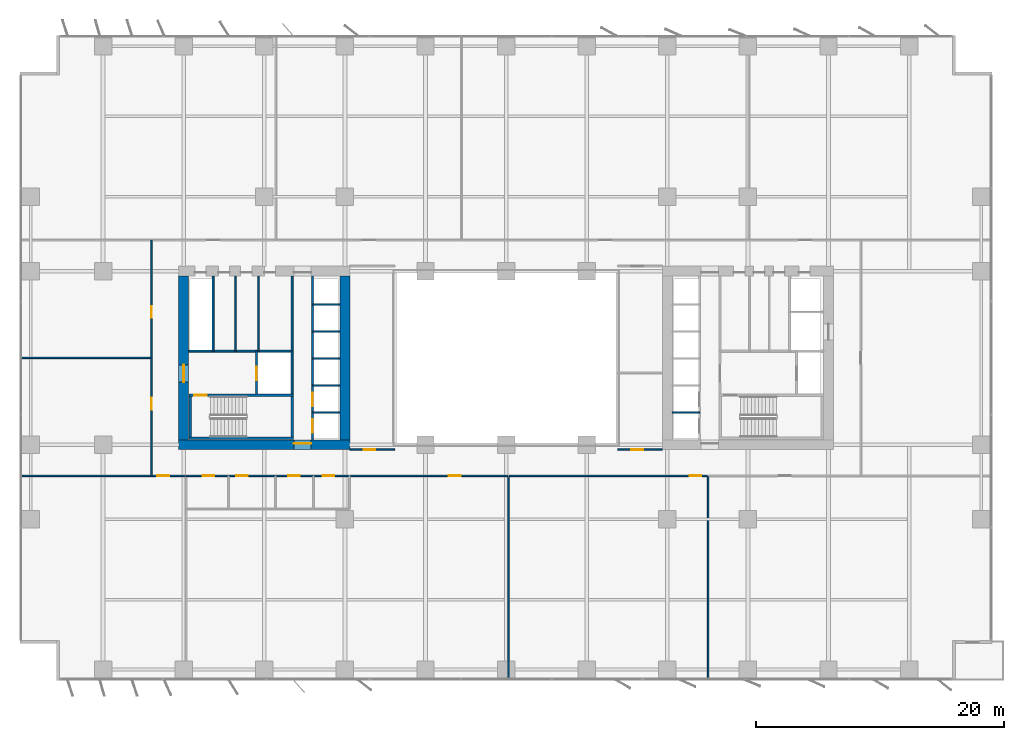
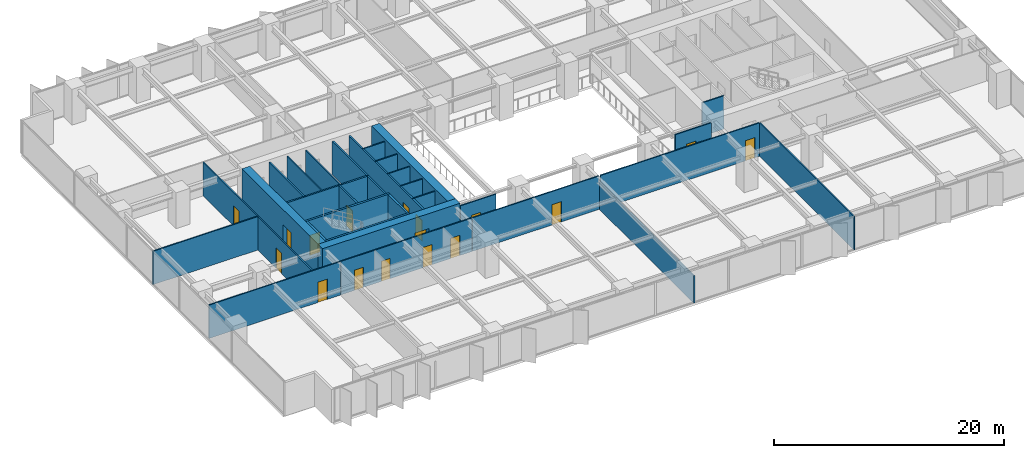
# One storey, part 13 of 20: 32 walls, 17 doors, 17 openings.
"""IFC4 building model written with IfcOpenShell, lengths in metres."""

from ifc_helpers import new_model, si_unit, direction, frame, frame_2d, origin, place, context, subcontext, project, spatial, rectangle, extrude, material, layer, layer_set, type_object, element, fill, save


model = new_model("IFC4")

# Units and contexts
model_context = context("Model", 3, precision=1e-05, world=origin(), true_north=direction((0.0, 1.0)))
body_context = subcontext(model_context, "Body", "Model", "MODEL_VIEW")
ifc_project = project(units=[si_unit("LENGTHUNIT", "METRE"), si_unit("AREAUNIT", "SQUARE_METRE"), si_unit("VOLUMEUNIT", "CUBIC_METRE"), si_unit("PLANEANGLEUNIT", "RADIAN"), si_unit("MASSUNIT", "GRAM", prefix="KILO")], contexts=[model_context])

# Site, building, storey
site_placement = place(None, origin())
site = spatial("IfcSite", under=ifc_project, at=site_placement, CompositionType="ELEMENT")
building_placement = place(site_placement, origin())
building = spatial("IfcBuilding", under=site, at=building_placement, Name="Putna Gate Headquarters", CompositionType="ELEMENT")
storey_placement = place(building_placement, frame((0.0, 0.0, 43.0)))
storey = spatial("IfcBuildingStorey", under=building, at=storey_placement, Name="L09", CompositionType="ELEMENT", Elevation=43.0)

# Wall, opening, door
ifc_material_1 = material(Name="Concrete C60/75", Category="concrete")
ifc_layer_1 = layer(ifc_material_1, 0.800048828125)
ifc_layer_set_1 = layer_set([ifc_layer_1], Name="Concrete C60/75")
wall_type_1 = type_object("IfcWallType", Name="WALL-CORE-800", PredefinedType="SHEAR", material=ifc_layer_set_1)
wall_1_placement = place(storey_placement, frame((12.60009765625, 19.0, 0.0), z_axis=(0.0, 0.0, 1.0), x_axis=(1.0, 0.0, 0.0)))
wall_1 = element("IfcWall", 1, at=wall_1_placement, inside=storey, type_object=wall_type_1, Name="L09 WC Split Core Shear Wall S", PredefinedType="SHEAR", context=body_context, shape_type="SweptSolid", body=[
    extrude(rectangle(XDim=13.7998046875, YDim=0.800048828125, at=frame_2d((6.89990234375, 0.0))), origin(), (0.0, 0.0, 1.0), 3.800048828125),
])
opening_1_placement = place(wall_1_placement, frame((9.280029296875, 0.0, 0.0)))
opening_1 = element("IfcOpeningElement", 2, at=opening_1_placement, cuts=wall_1, Name="Opening FDD-140", PredefinedType="OPENING", context=body_context, shape_type="SweptSolid", body=[
    extrude(rectangle(XDim=1.39990234375, YDim=2.199951171875, at=frame_2d((0.699951171875, 1.10009765625))), frame((0.0, 0.409912109375, 0.0), z_axis=(0.0, -1.0, 0.0), x_axis=(1.0, 0.0, 0.0)), (0.0, 0.0, 1.0), 0.820068359375),
])
ifc_material_2 = material(Name="Double steel fire door", Category="steel")
door_type_1 = type_object("IfcDoorType", Name="DOOR-FIRE-DBL-1400", OperationType="DOUBLE_DOOR_SINGLE_SWING", PredefinedType="DOOR", material=ifc_material_2)
door_1_placement = place(opening_1_placement, origin())
door_1 = element("IfcDoor", 3, at=door_1_placement, inside=storey, type_object=door_type_1, Name="L09 West Lift Lobby South Door", OperationType="DOUBLE_DOOR_SINGLE_SWING", OverallHeight=2.199951171875, OverallWidth=1.39990234375, PredefinedType="DOOR", context=body_context, shape_type="SweptSolid", body=[
    extrude(rectangle(XDim=1.39990234375, YDim=2.199951171875, at=frame_2d((0.699951171875, 1.10009765625))), frame((0.0, 0.125, 0.0), z_axis=(0.0, -1.0, 0.0), x_axis=(1.0, 0.0, 0.0)), (0.0, 0.0, 1.0), 0.050048828125),
])
fill(opening_1, door_1)

wall_2_placement = place(storey_placement, frame((13.0, 19.39990234375, 0.0), z_axis=(0.0, 0.0, 1.0), x_axis=(0.0, 1.0, 0.0)))
wall_2 = element("IfcWall", 4, at=wall_2_placement, inside=storey, type_object=wall_type_1, Name="L09 WC Split Core Shear Wall W", PredefinedType="SHEAR", context=body_context, shape_type="SweptSolid", body=[
    extrude(rectangle(XDim=13.2001953125, YDim=0.800048828125, at=frame_2d((6.60009765625, 0.0))), origin(), (0.0, 0.0, 1.0), 3.800048828125),
])
opening_2_placement = place(wall_2_placement, frame((4.64990234375, 0.0, 0.0)))
opening_2 = element("IfcOpeningElement", 5, at=opening_2_placement, cuts=wall_2, Name="Opening FDD-140", PredefinedType="OPENING", context=body_context, shape_type="SweptSolid", body=[
    extrude(rectangle(XDim=1.39990234375, YDim=2.199951171875, at=frame_2d((0.699951171875, 1.10009765625))), frame((0.0, 0.409912109375, 0.0), z_axis=(0.0, -1.0, 0.0), x_axis=(1.0, 0.0, 0.0)), (0.0, 0.0, 1.0), 0.820068359375),
])
door_2_placement = place(opening_2_placement, origin())
door_2 = element("IfcDoor", 6, at=door_2_placement, inside=storey, type_object=door_type_1, Name="L09 West Firefighting Lobby Door", OperationType="DOUBLE_DOOR_SINGLE_SWING", OverallHeight=2.199951171875, OverallWidth=1.39990234375, PredefinedType="DOOR", context=body_context, shape_type="SweptSolid", body=[
    extrude(rectangle(XDim=1.39990234375, YDim=2.199951171875, at=frame_2d((0.699951171875, 1.10009765625))), frame((0.0, 0.02490234375, 0.0), z_axis=(0.0, -1.0, 0.0), x_axis=(1.0, 0.0, 0.0)), (0.0, 0.0, 1.0), 0.050048828125),
])
fill(opening_2, door_2)

# Wall
wall_3_placement = place(storey_placement, frame((26.0, 19.39990234375, 0.0), z_axis=(0.0, 0.0, 1.0), x_axis=(0.0, 1.0, 0.0)))
element("IfcWall", 7, at=wall_3_placement, inside=storey, type_object=wall_type_1, Name="L09 WC Split Core Shear Wall E", PredefinedType="SHEAR", context=body_context, shape_type="SweptSolid", body=[
    extrude(rectangle(XDim=13.2001953125, YDim=0.800048828125, at=frame_2d((6.60009765625, 0.0))), origin(), (0.0, 0.0, 1.0), 3.800048828125),
])

# Wall, opening, door
ifc_material_3 = material(Name="Acoustic gypsum board on metal stud")
ifc_layer_2 = layer(ifc_material_3, 0.1201171875)
ifc_layer_set_2 = layer_set([ifc_layer_2], Name="Acoustic gypsum board on metal stud")
wall_type_2 = type_object("IfcWallType", Name="WALL-PART-120", PredefinedType="PARTITIONING", material=ifc_layer_set_2)
wall_4_placement = place(storey_placement, frame((26.39990234375, 18.60009765625, 0.0), z_axis=(0.0, 0.0, 1.0), x_axis=(1.0, 0.0, 0.0)))
wall_4 = element("IfcWall", 8, at=wall_4_placement, inside=storey, type_object=wall_type_2, Name="L09 Interior Wall PART-L09-ATR-W-S", PredefinedType="PARTITIONING", context=body_context, shape_type="SweptSolid", body=[
    extrude(rectangle(XDim=3.60009765625, YDim=0.1201171875, at=frame_2d((1.800048828125, 0.0))), origin(), (0.0, 0.0, 1.0), 3.550048828125),
])
opening_3_placement = place(wall_4_placement, frame((1.10009765625, 0.0, 0.0)))
opening_3 = element("IfcOpeningElement", 9, at=opening_3_placement, cuts=wall_4, Name="Opening ID-95", PredefinedType="OPENING", context=body_context, shape_type="SweptSolid", body=[
    extrude(rectangle(XDim=0.949951171875, YDim=2.14990234375, at=frame_2d((0.47509765625, 1.074951171875))), frame((0.0, 0.070068359375, 0.0), z_axis=(0.0, -1.0, 0.0), x_axis=(1.0, 0.0, 0.0)), (0.0, 0.0, 1.0), 0.14013671875),
])
ifc_material_4 = material(Name="Veneered acoustic timber door", Category="wood")
door_type_2 = type_object("IfcDoorType", Name="DOOR-OFF-950", OperationType="NOTDEFINED", PredefinedType="DOOR", material=ifc_material_4)
door_3_placement = place(opening_3_placement, origin())
door_3 = element("IfcDoor", 10, at=door_3_placement, inside=storey, type_object=door_type_2, Name="L09 West Atrium Gallery Lounge Door", OperationType="SINGLE_SWING_LEFT", OverallHeight=2.14990234375, OverallWidth=0.949951171875, PredefinedType="DOOR", context=body_context, shape_type="SweptSolid", body=[
    extrude(rectangle(XDim=0.949951171875, YDim=2.14990234375, at=frame_2d((0.47509765625, 1.074951171875))), frame((0.0, 0.02490234375, 0.0), z_axis=(0.0, -1.0, 0.0), x_axis=(1.0, 0.0, 0.0)), (0.0, 0.0, 1.0), 0.050048828125),
])
fill(opening_3, door_3)

wall_5_placement = place(storey_placement, frame((48.0, 18.60009765625, 0.0), z_axis=(0.0, 0.0, 1.0), x_axis=(1.0, 0.0, 0.0)))
wall_5 = element("IfcWall", 11, at=wall_5_placement, inside=storey, type_object=wall_type_2, Name="L09 Interior Wall PART-L09-ATR-E-S", PredefinedType="PARTITIONING", context=body_context, shape_type="SweptSolid", body=[
    extrude(rectangle(XDim=3.60009765625, YDim=0.1201171875, at=frame_2d((1.800048828125, 0.0))), origin(), (0.0, 0.0, 1.0), 3.550048828125),
])
opening_4_placement = place(wall_5_placement, frame((1.10009765625, 0.0, 0.0)))
opening_4 = element("IfcOpeningElement", 12, at=opening_4_placement, cuts=wall_5, Name="Opening ID-95", PredefinedType="OPENING", context=body_context, shape_type="SweptSolid", body=[
    extrude(rectangle(XDim=0.949951171875, YDim=2.14990234375, at=frame_2d((0.47509765625, 1.074951171875))), frame((0.0, 0.070068359375, 0.0), z_axis=(0.0, -1.0, 0.0), x_axis=(1.0, 0.0, 0.0)), (0.0, 0.0, 1.0), 0.14013671875),
])
door_4_placement = place(opening_4_placement, origin())
door_4 = element("IfcDoor", 13, at=door_4_placement, inside=storey, type_object=door_type_2, Name="L09 East Atrium South Gallery Door", OperationType="SINGLE_SWING_RIGHT", OverallHeight=2.14990234375, OverallWidth=0.949951171875, PredefinedType="DOOR", context=body_context, shape_type="SweptSolid", body=[
    extrude(rectangle(XDim=0.949951171875, YDim=2.14990234375, at=frame_2d((0.47509765625, 1.074951171875))), frame((0.0, 0.02490234375, 0.0), z_axis=(0.0, -1.0, 0.0), x_axis=(1.0, 0.0, 0.0)), (0.0, 0.0, 1.0), 0.050048828125),
])
fill(opening_4, door_4)

# Walls
wall_6_placement = place(storey_placement, frame((39.199951171875, 0.02001953125, 0.0), z_axis=(0.0, 0.0, 1.0), x_axis=(0.0, 1.0, 0.0)))
element("IfcWall", 14, at=wall_6_placement, inside=storey, type_object=wall_type_2, Name="L09 Interior Wall PART-L09-SB-DIV-02", PredefinedType="PARTITIONING", context=body_context, shape_type="SweptSolid", body=[
    extrude(rectangle(XDim=16.419921875, YDim=0.1201171875, at=frame_2d((8.2099609375, 0.0))), origin(), (0.0, 0.0, 1.0), 2.89990234375),
])
wall_7_placement = place(storey_placement, frame((55.296142578125, 0.02001953125, 0.0), z_axis=(0.0, 0.0, 1.0), x_axis=(0.0, 1.0, 0.0)))
element("IfcWall", 15, at=wall_7_placement, inside=storey, type_object=wall_type_2, Name="L09 Interior Wall PART-L09-SB-DIV-03", PredefinedType="PARTITIONING", context=body_context, shape_type="SweptSolid", body=[
    extrude(rectangle(XDim=16.419921875, YDim=0.1201171875, at=frame_2d((8.2099609375, 0.0))), origin(), (0.0, 0.0, 1.0), 3.550048828125),
])
wall_8_placement = place(storey_placement, frame((-0.179931640625, 26.0, 0.0), z_axis=(0.0, 0.0, 1.0), x_axis=(1.0, 0.0, 0.0)))
element("IfcWall", 16, at=wall_8_placement, inside=storey, type_object=wall_type_2, Name="L09 Interior Wall PART-L09-WW-DIV-1", PredefinedType="PARTITIONING", context=body_context, shape_type="SweptSolid", body=[
    extrude(rectangle(XDim=10.579833984375, YDim=0.1201171875, at=frame_2d((5.2900390625, 0.0))), origin(), (0.0, 0.0, 1.0), 3.550048828125),
])
ifc_material_5 = material(Name="Fire-rated shaftwall gypsum board on metal stud")
ifc_layer_3 = layer(ifc_material_5, 0.1201171875)
ifc_layer_set_3 = layer_set([ifc_layer_3], Name="Fire-rated shaftwall gypsum board on metal stud")
wall_type_3 = type_object("IfcWallType", Name="WALL-PART-120-EI120", PredefinedType="PARTITIONING", material=ifc_layer_set_3)
for number, where, z_axis, x_axis, name in (
    (17, (23.39990234375, 21.610107421875, 0.0), (0.0, 0.0, 1.0), (1.0, 0.0, 0.0), "L09 Interior Wall CWINT-L09-WC-LF01-DIV"),
    (18, (23.39990234375, 23.780029296875, 0.0), (0.0, 0.0, 1.0), (1.0, 0.0, 0.0), "L09 Interior Wall CWINT-L09-WC-LF02-DIV"),
    (19, (23.39990234375, 25.949951171875, 0.0), (0.0, 0.0, 1.0), (1.0, 0.0, 0.0), "L09 Interior Wall CWINT-L09-WC-LF05-DIV"),
    (20, (23.39990234375, 28.1201171875, 0.0), (0.0, 0.0, 1.0), (1.0, 0.0, 0.0), "L09 Interior Wall CWINT-L09-WC-LF06-DIV"),
    (21, (23.39990234375, 30.31005859375, 0.0), (0.0, 0.0, 1.0), (1.0, 0.0, 0.0), "L09 Interior Wall CWINT-L09-WC-LF09-DIV"),
    (22, (52.39990234375, 21.610107421875, 0.0), (0.0, 0.0, 1.0), (1.0, 0.0, 0.0), "L09 Interior Wall CWINT-L09-EC-LF03-DIV"),
):
    element("IfcWall", number, at=place(storey_placement, frame(where, z_axis=z_axis, x_axis=x_axis)), inside=storey, type_object=wall_type_3, Name=name, PredefinedType="PARTITIONING", context=body_context, shape_type="SweptSolid", body=[
        extrude(rectangle(XDim=2.2001953125, YDim=0.1201171875, at=frame_2d((1.10009765625, 0.0))), origin(), (0.0, 0.0, 1.0), 3.550048828125),
    ])
ifc_material_6 = material(Name="Fire-rated gypsum board on metal stud")
ifc_layer_4 = layer(ifc_material_6, 0.1201171875)
ifc_layer_set_4 = layer_set([ifc_layer_4], Name="Fire-rated gypsum board on metal stud")
wall_type_4 = type_object("IfcWallType", Name="WALL-PART-120-RATED", PredefinedType="PARTITIONING", material=ifc_layer_set_4)
for number, where, z_axis, x_axis, name in (
    (23, (17.169921875, 26.56005859375, 0.0), (0.0, 0.0, 1.0), (0.0, 1.0, 0.0), "L09 Interior Wall CWINT-L09-WC-K2-D1"),
    (24, (19.02001953125, 26.56005859375, 0.0), (0.0, 0.0, 1.0), (0.0, 1.0, 0.0), "L09 Interior Wall CWINT-L09-WC-K2-D2"),
):
    element("IfcWall", number, at=place(storey_placement, frame(where, z_axis=z_axis, x_axis=x_axis)), inside=storey, type_object=wall_type_4, Name=name, PredefinedType="PARTITIONING", context=body_context, shape_type="SweptSolid", body=[
        extrude(rectangle(XDim=6.0400390625, YDim=0.1201171875, at=frame_2d((3.02001953125, 0.0))), origin(), (0.0, 0.0, 1.0), 3.550048828125),
    ])

# Wall, openings, doors
wall_9_placement = place(storey_placement, frame((13.199951171875, 16.5, 0.0), z_axis=(0.0, 0.0, 1.0), x_axis=(1.0, 0.0, 0.0)))
wall_9 = element("IfcWall", 25, at=wall_9_placement, inside=storey, type_object=wall_type_4, Name="L09 Interior Wall PART-L09-SAN-CW", PredefinedType="PARTITIONING", context=body_context, shape_type="SweptSolid", body=[
    extrude(rectangle(XDim=13.16015625, YDim=0.1201171875, at=frame_2d((6.580078125, 0.0))), origin(), (0.0, 0.0, 1.0), 3.550048828125),
])
opening_5_placement = place(wall_9_placement, frame((1.35009765625, 0.0, 0.0)))
opening_5 = element("IfcOpeningElement", 26, at=opening_5_placement, cuts=wall_9, Name="Opening FD-90", PredefinedType="OPENING", context=body_context, shape_type="SweptSolid", body=[
    extrude(rectangle(XDim=0.89990234375, YDim=2.14990234375, at=frame_2d((0.449951171875, 1.074951171875))), frame((0.0, 0.070068359375, 0.0), z_axis=(0.0, -1.0, 0.0), x_axis=(1.0, 0.0, 0.0)), (0.0, 0.0, 1.0), 0.14013671875),
])
opening_6_placement = place(wall_9_placement, frame((4.050048828125, 0.0, 0.0)))
opening_6 = element("IfcOpeningElement", 27, at=opening_6_placement, cuts=wall_9, Name="Opening FD-90", PredefinedType="OPENING", context=body_context, shape_type="SweptSolid", body=[
    extrude(rectangle(XDim=0.89990234375, YDim=2.14990234375, at=frame_2d((0.449951171875, 1.074951171875))), frame((0.0, 0.070068359375, 0.0), z_axis=(0.0, -1.0, 0.0), x_axis=(1.0, 0.0, 0.0)), (0.0, 0.0, 1.0), 0.14013671875),
])
opening_7_placement = place(wall_9_placement, frame((8.25, 0.0, 0.0)))
opening_7 = element("IfcOpeningElement", 28, at=opening_7_placement, cuts=wall_9, Name="Opening FD-90", PredefinedType="OPENING", context=body_context, shape_type="SweptSolid", body=[
    extrude(rectangle(XDim=0.89990234375, YDim=2.14990234375, at=frame_2d((0.449951171875, 1.074951171875))), frame((0.0, 0.070068359375, 0.0), z_axis=(0.0, -1.0, 0.0), x_axis=(1.0, 0.0, 0.0)), (0.0, 0.0, 1.0), 0.14013671875),
])
opening_8_placement = place(wall_9_placement, frame((11.0, 0.0, 0.0)))
opening_8 = element("IfcOpeningElement", 29, at=opening_8_placement, cuts=wall_9, Name="Opening FD-95", PredefinedType="OPENING", context=body_context, shape_type="SweptSolid", body=[
    extrude(rectangle(XDim=0.949951171875, YDim=2.14990234375, at=frame_2d((0.47509765625, 1.074951171875))), frame((0.0, 0.070068359375, 0.0), z_axis=(0.0, -1.0, 0.0), x_axis=(1.0, 0.0, 0.0)), (0.0, 0.0, 1.0), 0.14013671875),
])
ifc_material_7 = material(Name="Acoustic washroom fire door")
door_type_3 = type_object("IfcDoorType", Name="DOOR-FIRE-900", OperationType="NOTDEFINED", PredefinedType="DOOR", material=ifc_material_7)
door_5_placement = place(opening_5_placement, origin())
door_5 = element("IfcDoor", 30, at=door_5_placement, inside=storey, type_object=door_type_3, Name="L09 Washroom Male Door", OperationType="SINGLE_SWING_RIGHT", OverallHeight=2.14990234375, OverallWidth=0.89990234375, PredefinedType="DOOR", context=body_context, shape_type="SweptSolid", body=[
    extrude(rectangle(XDim=0.89990234375, YDim=2.14990234375, at=frame_2d((0.449951171875, 1.074951171875))), frame((0.0, 0.02490234375, 0.0), z_axis=(0.0, -1.0, 0.0), x_axis=(1.0, 0.0, 0.0)), (0.0, 0.0, 1.0), 0.050048828125),
])
fill(opening_5, door_5)
door_6_placement = place(opening_6_placement, origin())
door_6 = element("IfcDoor", 31, at=door_6_placement, inside=storey, type_object=door_type_3, Name="L09 Washroom Female Door", OperationType="SINGLE_SWING_LEFT", OverallHeight=2.14990234375, OverallWidth=0.89990234375, PredefinedType="DOOR", context=body_context, shape_type="SweptSolid", body=[
    extrude(rectangle(XDim=0.89990234375, YDim=2.14990234375, at=frame_2d((0.449951171875, 1.074951171875))), frame((0.0, 0.02490234375, 0.0), z_axis=(0.0, -1.0, 0.0), x_axis=(1.0, 0.0, 0.0)), (0.0, 0.0, 1.0), 0.050048828125),
])
fill(opening_6, door_6)
door_7_placement = place(opening_7_placement, origin())
door_7 = element("IfcDoor", 32, at=door_7_placement, inside=storey, type_object=door_type_3, Name="L09 Accessible WC Door", OperationType="SINGLE_SWING_RIGHT", OverallHeight=2.14990234375, OverallWidth=0.89990234375, PredefinedType="DOOR", context=body_context, shape_type="SweptSolid", body=[
    extrude(rectangle(XDim=0.89990234375, YDim=2.14990234375, at=frame_2d((0.449951171875, 1.074951171875))), frame((0.0, 0.02490234375, 0.0), z_axis=(0.0, -1.0, 0.0), x_axis=(1.0, 0.0, 0.0)), (0.0, 0.0, 1.0), 0.050048828125),
])
fill(opening_7, door_7)
ifc_material_8 = material(Name="Acoustic timber fire door", Category="wood")
door_type_4 = type_object("IfcDoorType", Name="DOOR-FIRE-950", OperationType="NOTDEFINED", PredefinedType="DOOR", material=ifc_material_8)
door_8_placement = place(opening_8_placement, origin())
door_8 = element("IfcDoor", 33, at=door_8_placement, inside=storey, type_object=door_type_4, Name="L09 Staff Pantry and Tea Point Door", OperationType="SINGLE_SWING_LEFT", OverallHeight=2.14990234375, OverallWidth=0.949951171875, PredefinedType="DOOR", context=body_context, shape_type="SweptSolid", body=[
    extrude(rectangle(XDim=0.949951171875, YDim=2.14990234375, at=frame_2d((0.47509765625, 1.074951171875))), frame((0.0, 0.02490234375, 0.0), z_axis=(0.0, -1.0, 0.0), x_axis=(1.0, 0.0, 0.0)), (0.0, 0.0, 1.0), 0.050048828125),
])
fill(opening_8, door_8)

# Wall, opening, door
wall_10_placement = place(storey_placement, frame((-0.02001953125, 16.5, 0.0), z_axis=(0.0, 0.0, 1.0), x_axis=(1.0, 0.0, 0.0)))
wall_10 = element("IfcWall", 34, at=wall_10_placement, inside=storey, type_object=wall_type_4, Name="L09 Interior Wall PART-L09-SB-CW-01", PredefinedType="PARTITIONING", context=body_context, shape_type="SweptSolid", body=[
    extrude(rectangle(XDim=13.159912109375, YDim=0.1201171875, at=frame_2d((6.580078125, 0.0))), origin(), (0.0, 0.0, 1.0), 3.550048828125),
])
opening_9_placement = place(wall_10_placement, frame((10.89990234375, 0.0, 0.0)))
opening_9 = element("IfcOpeningElement", 35, at=opening_9_placement, cuts=wall_10, Name="Opening FD-95", PredefinedType="OPENING", context=body_context, shape_type="SweptSolid", body=[
    extrude(rectangle(XDim=0.949951171875, YDim=2.14990234375, at=frame_2d((0.47509765625, 1.074951171875))), frame((0.0, 0.070068359375, 0.0), z_axis=(0.0, -1.0, 0.0), x_axis=(1.0, 0.0, 0.0)), (0.0, 0.0, 1.0), 0.14013671875),
])
door_9_placement = place(opening_9_placement, origin())
door_9 = element("IfcDoor", 36, at=door_9_placement, inside=storey, type_object=door_type_4, Name="L09 Quiet Wellness Focus Studio 2 Door", OperationType="SINGLE_SWING_RIGHT", OverallHeight=2.14990234375, OverallWidth=0.949951171875, PredefinedType="DOOR", context=body_context, shape_type="SweptSolid", body=[
    extrude(rectangle(XDim=0.949951171875, YDim=2.14990234375, at=frame_2d((0.47509765625, 1.074951171875))), frame((0.0, 0.02490234375, 0.0), z_axis=(0.0, -1.0, 0.0), x_axis=(1.0, 0.0, 0.0)), (0.0, 0.0, 1.0), 0.050048828125),
])
fill(opening_9, door_9)

wall_11_placement = place(storey_placement, frame((26.419921875, 16.5, 0.0), z_axis=(0.0, 0.0, 1.0), x_axis=(1.0, 0.0, 0.0)))
wall_11 = element("IfcWall", 37, at=wall_11_placement, inside=storey, type_object=wall_type_4, Name="L09 Interior Wall PART-L09-SB-CW-02", PredefinedType="PARTITIONING", context=body_context, shape_type="SweptSolid", body=[
    extrude(rectangle(XDim=12.719970703125, YDim=0.1201171875, at=frame_2d((6.35986328125, 0.0))), origin(), (0.0, 0.0, 1.0), 3.550048828125),
])
opening_10_placement = place(wall_11_placement, frame((7.9541015625, 0.0, 0.0)))
opening_10 = element("IfcOpeningElement", 38, at=opening_10_placement, cuts=wall_11, Name="Opening FD-95", PredefinedType="OPENING", context=body_context, shape_type="SweptSolid", body=[
    extrude(rectangle(XDim=0.949951171875, YDim=2.14990234375, at=frame_2d((0.47509765625, 1.074951171875))), frame((0.0, 0.070068359375, 0.0), z_axis=(0.0, -1.0, 0.0), x_axis=(1.0, 0.0, 0.0)), (0.0, 0.0, 1.0), 0.14013671875),
])
door_10_placement = place(opening_10_placement, origin())
door_10 = element("IfcDoor", 39, at=door_10_placement, inside=storey, type_object=door_type_4, Name="L09 Primary Open Office Workplace Door", OperationType="SINGLE_SWING_LEFT", OverallHeight=2.14990234375, OverallWidth=0.949951171875, PredefinedType="DOOR", context=body_context, shape_type="SweptSolid", body=[
    extrude(rectangle(XDim=0.949951171875, YDim=2.14990234375, at=frame_2d((0.47509765625, 1.074951171875))), frame((0.0, 0.02490234375, 0.0), z_axis=(0.0, -1.0, 0.0), x_axis=(1.0, 0.0, 0.0)), (0.0, 0.0, 1.0), 0.050048828125),
])
fill(opening_10, door_10)

wall_12_placement = place(storey_placement, frame((39.260009765625, 16.5, 0.0), z_axis=(0.0, 0.0, 1.0), x_axis=(1.0, 0.0, 0.0)))
wall_12 = element("IfcWall", 40, at=wall_12_placement, inside=storey, type_object=wall_type_4, Name="L09 Interior Wall PART-L09-SB-CW-03", PredefinedType="PARTITIONING", context=body_context, shape_type="SweptSolid", body=[
    extrude(rectangle(XDim=15.97607421875, YDim=0.1201171875, at=frame_2d((7.988037109375, 0.0))), origin(), (0.0, 0.0, 1.0), 3.550048828125),
])
opening_11_placement = place(wall_12_placement, frame((14.546142578125, 0.0, 0.0)))
opening_11 = element("IfcOpeningElement", 41, at=opening_11_placement, cuts=wall_12, Name="Opening FD-95", PredefinedType="OPENING", context=body_context, shape_type="SweptSolid", body=[
    extrude(rectangle(XDim=0.949951171875, YDim=2.14990234375, at=frame_2d((0.47509765625, 1.074951171875))), frame((0.0, 0.070068359375, 0.0), z_axis=(0.0, -1.0, 0.0), x_axis=(1.0, 0.0, 0.0)), (0.0, 0.0, 1.0), 0.14013671875),
])
door_11_placement = place(opening_11_placement, origin())
door_11 = element("IfcDoor", 42, at=door_11_placement, inside=storey, type_object=door_type_4, Name="L09 Conference Meeting Room 1 Door", OperationType="SINGLE_SWING_RIGHT", OverallHeight=2.14990234375, OverallWidth=0.949951171875, PredefinedType="DOOR", context=body_context, shape_type="SweptSolid", body=[
    extrude(rectangle(XDim=0.949951171875, YDim=2.14990234375, at=frame_2d((0.47509765625, 1.074951171875))), frame((0.0, 0.02490234375, 0.0), z_axis=(0.0, -1.0, 0.0), x_axis=(1.0, 0.0, 0.0)), (0.0, 0.0, 1.0), 0.050048828125),
])
fill(opening_11, door_11)

wall_13_placement = place(storey_placement, frame((10.39990234375, 16.5, 0.0), z_axis=(0.0, 0.0, 1.0), x_axis=(0.0, 1.0, 0.0)))
wall_13 = element("IfcWall", 43, at=wall_13_placement, inside=storey, type_object=wall_type_4, Name="L09 Interior Wall PART-L09-WW-CW-1", PredefinedType="PARTITIONING", context=body_context, shape_type="SweptSolid", body=[
    extrude(rectangle(XDim=9.5, YDim=0.1201171875, at=frame_2d((4.75, 0.0))), origin(), (0.0, 0.0, 1.0), 3.550048828125),
])
opening_12_placement = place(wall_13_placement, frame((5.324951171875, 0.0, 0.0)))
opening_12 = element("IfcOpeningElement", 44, at=opening_12_placement, cuts=wall_13, Name="Opening FD-95", PredefinedType="OPENING", context=body_context, shape_type="SweptSolid", body=[
    extrude(rectangle(XDim=0.949951171875, YDim=2.14990234375, at=frame_2d((0.47509765625, 1.074951171875))), frame((0.0, 0.070068359375, 0.0), z_axis=(0.0, -1.0, 0.0), x_axis=(1.0, 0.0, 0.0)), (0.0, 0.0, 1.0), 0.14013671875),
])
door_12_placement = place(opening_12_placement, origin())
door_12 = element("IfcDoor", 45, at=door_12_placement, inside=storey, type_object=door_type_4, Name="L09 West Project Meeting Room 1 Door", OperationType="SINGLE_SWING_RIGHT", OverallHeight=2.14990234375, OverallWidth=0.949951171875, PredefinedType="DOOR", context=body_context, shape_type="SweptSolid", body=[
    extrude(rectangle(XDim=0.949951171875, YDim=2.14990234375, at=frame_2d((0.47509765625, 1.074951171875))), frame((0.0, 0.02490234375, 0.0), z_axis=(0.0, -1.0, 0.0), x_axis=(1.0, 0.0, 0.0)), (0.0, 0.0, 1.0), 0.050048828125),
])
fill(opening_12, door_12)

wall_14_placement = place(storey_placement, frame((10.39990234375, 26.0, 0.0), z_axis=(0.0, 0.0, 1.0), x_axis=(0.0, 1.0, 0.0)))
wall_14 = element("IfcWall", 46, at=wall_14_placement, inside=storey, type_object=wall_type_4, Name="L09 Interior Wall PART-L09-WW-CW-2", PredefinedType="PARTITIONING", context=body_context, shape_type="SweptSolid", body=[
    extrude(rectangle(XDim=9.5, YDim=0.1201171875, at=frame_2d((4.75, 0.0))), origin(), (0.0, 0.0, 1.0), 3.550048828125),
])
opening_13_placement = place(wall_14_placement, frame((3.22509765625, 0.0, 0.0)))
opening_13 = element("IfcOpeningElement", 47, at=opening_13_placement, cuts=wall_14, Name="Opening FD-95", PredefinedType="OPENING", context=body_context, shape_type="SweptSolid", body=[
    extrude(rectangle(XDim=0.949951171875, YDim=2.14990234375, at=frame_2d((0.47509765625, 1.074951171875))), frame((0.0, 0.070068359375, 0.0), z_axis=(0.0, -1.0, 0.0), x_axis=(1.0, 0.0, 0.0)), (0.0, 0.0, 1.0), 0.14013671875),
])
door_13_placement = place(opening_13_placement, origin())
door_13 = element("IfcDoor", 48, at=door_13_placement, inside=storey, type_object=door_type_4, Name="L09 West Project Meeting Room 2 Door", OperationType="SINGLE_SWING_LEFT", OverallHeight=2.14990234375, OverallWidth=0.949951171875, PredefinedType="DOOR", context=body_context, shape_type="SweptSolid", body=[
    extrude(rectangle(XDim=0.949951171875, YDim=2.14990234375, at=frame_2d((0.47509765625, 1.074951171875))), frame((0.0, 0.02490234375, 0.0), z_axis=(0.0, -1.0, 0.0), x_axis=(1.0, 0.0, 0.0)), (0.0, 0.0, 1.0), 0.050048828125),
])
fill(opening_13, door_13)

# Wall
ifc_material_9 = material(Name="Concrete C40/50", Category="concrete")
ifc_layer_5 = layer(ifc_material_9, 0.159912109375)
ifc_layer_set_5 = layer_set([ifc_layer_5], Name="Concrete C40/50")
wall_type_5 = type_object("IfcWallType", Name="WALL-SHAFT-160", PredefinedType="STANDARD", material=ifc_layer_set_5)
wall_15_placement = place(storey_placement, frame((21.739990234375, 23.090087890625, 0.0), z_axis=(0.0, 0.0, 1.0), x_axis=(0.0, 1.0, 0.0)))
element("IfcWall", 49, at=wall_15_placement, inside=storey, type_object=wall_type_5, Name="L09 Interior Wall CWINT-L09-WC-FFL-E", PredefinedType="STANDARD", context=body_context, shape_type="SweptSolid", body=[
    extrude(rectangle(XDim=3.469970703125, YDim=0.159912109375, at=frame_2d((1.73486328125, 0.0))), origin(), (0.0, 0.0, 1.0), 3.550048828125),
])

# Wall, opening, door
wall_16_placement = place(storey_placement, frame((18.8798828125, 23.090087890625, 0.0), z_axis=(0.0, 0.0, 1.0), x_axis=(0.0, 1.0, 0.0)))
wall_16 = element("IfcWall", 50, at=wall_16_placement, inside=storey, type_object=wall_type_5, Name="L09 Interior Wall CWINT-L09-WC-LF13-W", PredefinedType="STANDARD", context=body_context, shape_type="SweptSolid", body=[
    extrude(rectangle(XDim=3.469970703125, YDim=0.159912109375, at=frame_2d((1.73486328125, 0.0))), origin(), (0.0, 0.0, 1.0), 3.550048828125),
])
opening_14_placement = place(wall_16_placement, frame((1.10009765625, 0.0, 0.0)))
opening_14 = element("IfcOpeningElement", 51, at=opening_14_placement, cuts=wall_16, Name="Opening LD-1", PredefinedType="OPENING", context=body_context, shape_type="SweptSolid", body=[
    extrude(rectangle(XDim=1.10009765625, YDim=2.199951171875, at=frame_2d((0.550048828125, 1.10009765625))), frame((0.0, 0.08984375, 0.0), z_axis=(0.0, -1.0, 0.0), x_axis=(1.0, 0.0, 0.0)), (0.0, 0.0, 1.0), 0.179931640625),
])
ifc_material_10 = material(Name="Brushed bronze stainless lift landing door")
door_type_5 = type_object("IfcDoorType", Name="DOOR-LIFT-1100", OperationType="DOUBLE_DOOR_SLIDING", PredefinedType="DOOR", material=ifc_material_10)
door_14_placement = place(opening_14_placement, origin())
door_14 = element("IfcDoor", 52, at=door_14_placement, inside=storey, type_object=door_type_5, Name="L09 Lift Landing Door LD-13", OperationType="DOUBLE_DOOR_SLIDING", OverallHeight=2.199951171875, OverallWidth=1.10009765625, PredefinedType="DOOR", context=body_context, shape_type="SweptSolid", body=[
    extrude(rectangle(XDim=1.10009765625, YDim=2.199951171875, at=frame_2d((0.550048828125, 1.10009765625))), frame((0.0, 0.02490234375, 0.0), z_axis=(0.0, -1.0, 0.0), x_axis=(1.0, 0.0, 0.0)), (0.0, 0.0, 1.0), 0.050048828125),
])
fill(opening_14, door_14)

# Walls
wall_17_placement = place(storey_placement, frame((13.39990234375, 26.56005859375, 0.0), z_axis=(0.0, 0.0, 1.0), x_axis=(1.0, 0.0, 0.0)))
element("IfcWall", 53, at=wall_17_placement, inside=storey, type_object=wall_type_5, Name="L09 Interior Wall CWINT-L09-WC-FFL-N", PredefinedType="STANDARD", context=body_context, shape_type="SweptSolid", body=[
    extrude(rectangle(XDim=8.340087890625, YDim=0.159912109375, at=frame_2d((4.169921875, 0.0))), origin(), (0.0, 0.0, 1.0), 3.550048828125),
])
for number, where, z_axis, x_axis, name in (
    (54, (15.3798828125, 26.56005859375, 0.0), (0.0, 0.0, 1.0), (0.0, 1.0, 0.0), "L09 Interior Wall CWINT-L09-WC-RISER-E"),
    (55, (21.739990234375, 26.56005859375, 0.0), (0.0, 0.0, 1.0), (0.0, 1.0, 0.0), "L09 Interior Wall CWINT-L09-WC-LOB-W"),
):
    element("IfcWall", number, at=place(storey_placement, frame(where, z_axis=z_axis, x_axis=x_axis)), inside=storey, type_object=wall_type_5, Name=name, PredefinedType="STANDARD", context=body_context, shape_type="SweptSolid", body=[
        extrude(rectangle(XDim=6.0400390625, YDim=0.159912109375, at=frame_2d((3.02001953125, 0.0))), origin(), (0.0, 0.0, 1.0), 3.550048828125),
    ])

# Wall, openings, doors
wall_18_placement = place(storey_placement, frame((23.39990234375, 19.39990234375, 0.0), z_axis=(0.0, 0.0, 1.0), x_axis=(0.0, 1.0, 0.0)))
wall_18 = element("IfcWall", 56, at=wall_18_placement, inside=storey, type_object=wall_type_5, Name="L09 Interior Wall CWINT-L09-WC-PL-WALL", PredefinedType="STANDARD", context=body_context, shape_type="SweptSolid", body=[
    extrude(rectangle(XDim=13.2001953125, YDim=0.159912109375, at=frame_2d((6.60009765625, 0.0))), origin(), (0.0, 0.0, 1.0), 3.550048828125),
])
opening_15_placement = place(wall_18_placement, frame((0.550048828125, 0.0, 0.0)))
opening_15 = element("IfcOpeningElement", 57, at=opening_15_placement, cuts=wall_18, Name="Opening LD-1", PredefinedType="OPENING", context=body_context, shape_type="SweptSolid", body=[
    extrude(rectangle(XDim=1.10009765625, YDim=2.199951171875, at=frame_2d((0.550048828125, 1.10009765625))), frame((0.0, 0.08984375, 0.0), z_axis=(0.0, -1.0, 0.0), x_axis=(1.0, 0.0, 0.0)), (0.0, 0.0, 1.0), 0.179931640625),
])
opening_16_placement = place(wall_18_placement, frame((2.699951171875, 0.0, 0.0)))
opening_16 = element("IfcOpeningElement", 58, at=opening_16_placement, cuts=wall_18, Name="Opening LD-1", PredefinedType="OPENING", context=body_context, shape_type="SweptSolid", body=[
    extrude(rectangle(XDim=1.10009765625, YDim=2.199951171875, at=frame_2d((0.550048828125, 1.10009765625))), frame((0.0, 0.08984375, 0.0), z_axis=(0.0, -1.0, 0.0), x_axis=(1.0, 0.0, 0.0)), (0.0, 0.0, 1.0), 0.179931640625),
])
door_15_placement = place(opening_15_placement, origin())
door_15 = element("IfcDoor", 59, at=door_15_placement, inside=storey, type_object=door_type_5, Name="L09 Lift Landing Door LD-01", OperationType="DOUBLE_DOOR_SLIDING", OverallHeight=2.199951171875, OverallWidth=1.10009765625, PredefinedType="DOOR", context=body_context, shape_type="SweptSolid", body=[
    extrude(rectangle(XDim=1.10009765625, YDim=2.199951171875, at=frame_2d((0.550048828125, 1.10009765625))), frame((0.0, 0.02490234375, 0.0), z_axis=(0.0, -1.0, 0.0), x_axis=(1.0, 0.0, 0.0)), (0.0, 0.0, 1.0), 0.050048828125),
])
fill(opening_15, door_15)
door_16_placement = place(opening_16_placement, origin())
door_16 = element("IfcDoor", 60, at=door_16_placement, inside=storey, type_object=door_type_5, Name="L09 Lift Landing Door LD-02", OperationType="DOUBLE_DOOR_SLIDING", OverallHeight=2.199951171875, OverallWidth=1.10009765625, PredefinedType="DOOR", context=body_context, shape_type="SweptSolid", body=[
    extrude(rectangle(XDim=1.10009765625, YDim=2.199951171875, at=frame_2d((0.550048828125, 1.10009765625))), frame((0.0, 0.02490234375, 0.0), z_axis=(0.0, -1.0, 0.0), x_axis=(1.0, 0.0, 0.0)), (0.0, 0.0, 1.0), 0.050048828125),
])
fill(opening_16, door_16)

# Wall
ifc_layer_6 = layer(ifc_material_9, 0.199951171875)
ifc_layer_set_6 = layer_set([ifc_layer_6], Name="Concrete C40/50")
wall_type_6 = type_object("IfcWallType", Name="WALL-SHAFT-RC200", PredefinedType="SHEAR", material=ifc_layer_set_6)
wall_19_placement = place(storey_placement, frame((13.409912109375, 19.510009765625, 0.0), z_axis=(0.0, 0.0, 1.0), x_axis=(1.0, 0.0, 0.0)))
element("IfcWall", 61, at=wall_19_placement, inside=storey, type_object=wall_type_6, Name="L09 Stair ST1 Structural Shaft Wall S", PredefinedType="SHEAR", context=body_context, shape_type="SweptSolid", body=[
    extrude(rectangle(XDim=8.43017578125, YDim=0.199951171875, at=frame_2d((4.215087890625, 0.0))), origin(), (0.0, 0.0, 1.0), 3.800048828125),
])

# Wall, opening, door
wall_20_placement = place(storey_placement, frame((13.409912109375, 22.989990234375, 0.0), z_axis=(0.0, 0.0, 1.0), x_axis=(1.0, 0.0, 0.0)))
wall_20 = element("IfcWall", 62, at=wall_20_placement, inside=storey, type_object=wall_type_6, Name="L09 Stair ST1 Structural Shaft Wall N", PredefinedType="SHEAR", context=body_context, shape_type="SweptSolid", body=[
    extrude(rectangle(XDim=8.43017578125, YDim=0.199951171875, at=frame_2d((4.215087890625, 0.0))), origin(), (0.0, 0.0, 1.0), 3.800048828125),
])
opening_17_placement = place(wall_20_placement, frame((0.449951171875, 0.0, 0.0)))
opening_17 = element("IfcOpeningElement", 63, at=opening_17_placement, cuts=wall_20, Name="Opening FD-100", PredefinedType="OPENING", context=body_context, shape_type="SweptSolid", body=[
    extrude(rectangle(XDim=1.0, YDim=2.14990234375, at=frame_2d((0.5, 1.074951171875))), frame((0.0, 0.10986328125, 0.0), z_axis=(0.0, -1.0, 0.0), x_axis=(1.0, 0.0, 0.0)), (0.0, 0.0, 1.0), 0.219970703125),
])
ifc_material_11 = material(Name="Powder-coated steel fire door", Category="steel")
door_type_6 = type_object("IfcDoorType", Name="DOOR-FIRE-1000", OperationType="NOTDEFINED", PredefinedType="DOOR", material=ifc_material_11)
door_17_placement = place(opening_17_placement, origin())
door_17 = element("IfcDoor", 64, at=door_17_placement, inside=storey, type_object=door_type_6, Name="L09 Stair ST1 Fire Door", OperationType="SINGLE_SWING_LEFT", OverallHeight=2.14990234375, OverallWidth=1.0, PredefinedType="DOOR", context=body_context, shape_type="SweptSolid", body=[
    extrude(rectangle(XDim=1.0, YDim=2.14990234375, at=frame_2d((0.5, 1.074951171875))), frame((0.0, 0.02490234375, 0.0), z_axis=(0.0, -1.0, 0.0), x_axis=(1.0, 0.0, 0.0)), (0.0, 0.0, 1.0), 0.050048828125),
])
fill(opening_17, door_17)

# Walls
for number, where, z_axis, x_axis, name in (
    (65, (13.510009765625, 19.610107421875, 0.0), (0.0, 0.0, 1.0), (0.0, 1.0, 0.0), "L09 Stair ST1 Structural Shaft Wall W"),
    (66, (21.739990234375, 19.610107421875, 0.0), (0.0, 0.0, 1.0), (0.0, 1.0, 0.0), "L09 Stair ST1 Structural Shaft Wall E"),
):
    element("IfcWall", number, at=place(storey_placement, frame(where, z_axis=z_axis, x_axis=x_axis)), inside=storey, type_object=wall_type_6, Name=name, PredefinedType="SHEAR", context=body_context, shape_type="SweptSolid", body=[
        extrude(rectangle(XDim=3.27978515625, YDim=0.199951171875, at=frame_2d((1.639892578125, 0.0))), origin(), (0.0, 0.0, 1.0), 3.800048828125),
    ])

save(model, "model.ifc")
